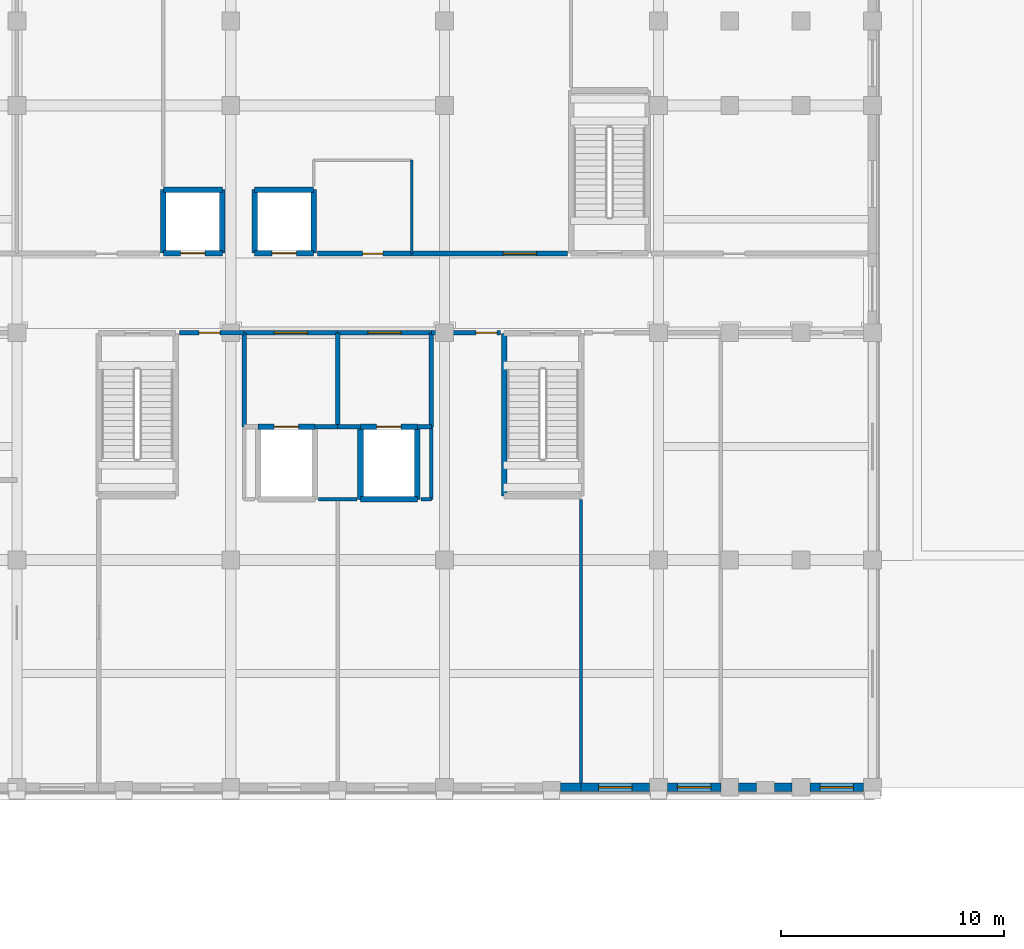
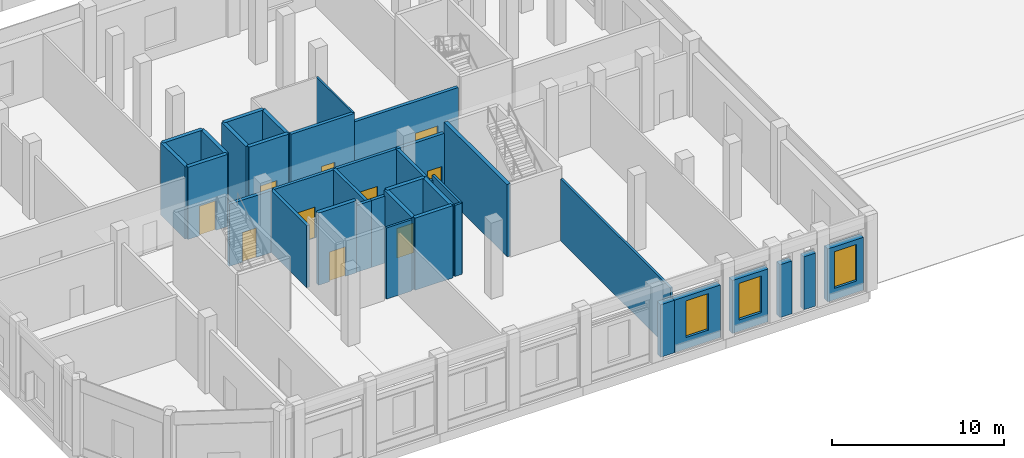
# One storey, part 101 of 137: 37 walls, 10 doors, 3 windows, 13 openings.
"""IFC4 building model written with IfcOpenShell, lengths in metres."""

from ifc_helpers import new_model, si_unit, direction, frame, frame_2d, origin, place, context, subcontext, project, spatial, rectangle, extrude, material, layer, layer_set, type_object, element, fill, save


model = new_model("IFC4")

# Units and contexts
model_context = context("Model", 3, precision=1e-05, world=origin(), true_north=direction((0.0, 1.0)))
body_context = subcontext(model_context, "Body", "Model", "MODEL_VIEW")
ifc_project = project(units=[si_unit("LENGTHUNIT", "METRE"), si_unit("AREAUNIT", "SQUARE_METRE"), si_unit("VOLUMEUNIT", "CUBIC_METRE"), si_unit("PLANEANGLEUNIT", "RADIAN"), si_unit("MASSUNIT", "GRAM", prefix="KILO")], contexts=[model_context])

# Site, building, storey
site_placement = place(None, origin())
site = spatial("IfcSite", under=ifc_project, at=site_placement, CompositionType="ELEMENT")
building_placement = place(site_placement, origin())
building = spatial("IfcBuilding", under=site, at=building_placement, Name="Vondelvale Polytechnic", CompositionType="ELEMENT")
storey_placement = place(building_placement, origin())
storey = spatial("IfcBuildingStorey", under=building, at=storey_placement, Name="L00", CompositionType="ELEMENT", Elevation=0.0)

# Wall
ifc_material_1 = material(Name="Concrete N40 (f'c = 40 MPa)", Category="concrete")
ifc_layer_1 = layer(ifc_material_1, 0.25)
ifc_layer_set_1 = layer_set([ifc_layer_1], Name="WL-CORE-250")
wall_type_1 = type_object("IfcWallType", Name="WL-CORE-250", PredefinedType="SOLIDWALL", material=ifc_layer_set_1)
wall_1_placement = place(storey_placement, frame((31.47509765625, 20.375, 0.0), z_axis=(0.0, 0.0, 1.0), x_axis=(0.0, -1.0, 0.0)))
element("IfcWall", 1, at=wall_1_placement, inside=storey, type_object=wall_type_1, Name="L00 ST-04 reinforced concrete stair core wall", PredefinedType="SOLIDWALL", context=body_context, shape_type="SweptSolid", body=[
    extrude(rectangle(XDim=7.300048828125, YDim=0.25, at=frame_2d((3.64990234375, 0.0))), origin(), (0.0, 0.0, 1.0), 5.1201171875),
])

# Wall, opening, door
ifc_material_2 = material(Name="Fire-rated double-layer plasterboard stud partition")
ifc_layer_2 = layer(ifc_material_2, 0.199951171875)
ifc_layer_set_2 = layer_set([ifc_layer_2], Name="WL-CORR-200")
wall_type_2 = type_object("IfcWallType", Name="WL-CORR-200", PredefinedType="PARTITIONING", material=ifc_layer_set_2)
wall_2_placement = place(storey_placement, frame((19.800048828125, 20.39990234375, 0.0), z_axis=(0.0, 0.0, 1.0), x_axis=(1.0, 0.0, 0.0)))
wall_2 = element("IfcWall", 2, at=wall_2_placement, inside=storey, type_object=wall_type_2, Name="L00 EL-01 fire-isolated lift lobby wall", PredefinedType="PARTITIONING", context=body_context, shape_type="SweptSolid", body=[
    extrude(rectangle(XDim=4.199951171875, YDim=0.199951171875, at=frame_2d((2.10009765625, 0.0))), origin(), (0.0, 0.0, 1.0), 4.39990234375),
])
opening_1_placement = place(wall_2_placement, frame((1.35009765625, 0.0, 0.0)))
opening_1 = element("IfcOpeningElement", 3, at=opening_1_placement, cuts=wall_2, Name="Opening LBD-057", PredefinedType="OPENING", context=body_context, shape_type="SweptSolid", body=[
    extrude(rectangle(XDim=1.5, YDim=2.199951171875, at=frame_2d((0.75, 1.10009765625))), frame((0.0, 0.10986328125, 0.0), z_axis=(0.0, -1.0, 0.0), x_axis=(1.0, 0.0, 0.0)), (0.0, 0.0, 1.0), 0.219970703125),
])
ifc_material_3 = material(Name="Engineered Tasmanian oak studio and bridge joinery")
door_type_1 = type_object("IfcDoorType", Name="DR-LOBBY-1500x2200", OperationType="DOUBLE_DOOR_SINGLE_SWING", PredefinedType="DOOR", material=ifc_material_3)
door_1_placement = place(opening_1_placement, origin())
door_1 = element("IfcDoor", 4, at=door_1_placement, inside=storey, type_object=door_type_1, Name="L00 EL-01 firefighting lobby smoke door", OperationType="SINGLE_SWING_LEFT", OverallHeight=2.199951171875, OverallWidth=1.5, PredefinedType="DOOR", context=body_context, shape_type="SweptSolid", body=[
    extrude(rectangle(XDim=1.5, YDim=2.199951171875, at=frame_2d((0.75, 1.10009765625))), frame((0.0, 0.02490234375, 0.0), z_axis=(0.0, -1.0, 0.0), x_axis=(1.0, 0.0, 0.0)), (0.0, 0.0, 1.0), 0.050048828125),
])
fill(opening_1, door_1)

# Walls
for number, where, z_axis, x_axis, name in (
    (5, (19.800048828125, 16.175048828125, 0.0), (0.0, 0.0, 1.0), (0.0, 1.0, 0.0), "L00 EL-01 fire-isolated lift lobby wall"),
    (6, (24.0, 16.175048828125, 0.0), (0.0, 0.0, 1.0), (0.0, 1.0, 0.0), "L00 EL-01 fire-isolated lift lobby wall"),
):
    element("IfcWall", number, at=place(storey_placement, frame(where, z_axis=z_axis, x_axis=x_axis)), inside=storey, type_object=wall_type_2, Name=name, PredefinedType="PARTITIONING", context=body_context, shape_type="SweptSolid", body=[
        extrude(rectangle(XDim=4.224853515625, YDim=0.199951171875, at=frame_2d((2.1123046875, 0.0))), origin(), (0.0, 0.0, 1.0), 4.39990234375),
    ])
wall_3_placement = place(storey_placement, frame((22.97509765625, 16.175048828125, 0.0), z_axis=(0.0, 0.0, 1.0), x_axis=(1.0, 0.0, 0.0)))
element("IfcWall", 7, at=wall_3_placement, inside=storey, type_object=wall_type_2, Name="L00 EL-01 fire-isolated lift lobby wall", PredefinedType="PARTITIONING", context=body_context, shape_type="SweptSolid", body=[
    extrude(rectangle(XDim=1.02490234375, YDim=0.199951171875, at=frame_2d((0.512451171875, 0.0))), origin(), (0.0, 0.0, 1.0), 4.75),
])

# Wall, opening, door
wall_4_placement = place(storey_placement, frame((24.0, 20.39990234375, 0.0), z_axis=(0.0, 0.0, 1.0), x_axis=(1.0, 0.0, 0.0)))
wall_4 = element("IfcWall", 8, at=wall_4_placement, inside=storey, type_object=wall_type_2, Name="L00 EL-02 fire-isolated lift lobby wall", PredefinedType="PARTITIONING", context=body_context, shape_type="SweptSolid", body=[
    extrude(rectangle(XDim=4.199951171875, YDim=0.199951171875, at=frame_2d((2.10009765625, 0.0))), origin(), (0.0, 0.0, 1.0), 4.39990234375),
])
opening_2_placement = place(wall_4_placement, frame((1.35009765625, 0.0, 0.0)))
opening_2 = element("IfcOpeningElement", 9, at=opening_2_placement, cuts=wall_4, Name="Opening LBD-066", PredefinedType="OPENING", context=body_context, shape_type="SweptSolid", body=[
    extrude(rectangle(XDim=1.5, YDim=2.199951171875, at=frame_2d((0.75, 1.10009765625))), frame((0.0, 0.10986328125, 0.0), z_axis=(0.0, -1.0, 0.0), x_axis=(1.0, 0.0, 0.0)), (0.0, 0.0, 1.0), 0.219970703125),
])
door_2_placement = place(opening_2_placement, origin())
door_2 = element("IfcDoor", 10, at=door_2_placement, inside=storey, type_object=door_type_1, Name="L00 EL-02 firefighting lobby smoke door", OperationType="SINGLE_SWING_LEFT", OverallHeight=2.199951171875, OverallWidth=1.5, PredefinedType="DOOR", context=body_context, shape_type="SweptSolid", body=[
    extrude(rectangle(XDim=1.5, YDim=2.199951171875, at=frame_2d((0.75, 1.10009765625))), frame((0.0, 0.02490234375, 0.0), z_axis=(0.0, -1.0, 0.0), x_axis=(1.0, 0.0, 0.0)), (0.0, 0.0, 1.0), 0.050048828125),
])
fill(opening_2, door_2)

# Walls
wall_5_placement = place(storey_placement, frame((28.199951171875, 16.175048828125, 0.0), z_axis=(0.0, 0.0, 1.0), x_axis=(0.0, 1.0, 0.0)))
element("IfcWall", 11, at=wall_5_placement, inside=storey, type_object=wall_type_2, Name="L00 EL-02 fire-isolated lift lobby wall", PredefinedType="PARTITIONING", context=body_context, shape_type="SweptSolid", body=[
    extrude(rectangle(XDim=4.224853515625, YDim=0.199951171875, at=frame_2d((2.1123046875, 0.0))), origin(), (0.0, 0.0, 1.0), 4.39990234375),
])
wall_6_placement = place(storey_placement, frame((24.0, 16.175048828125, 0.0), z_axis=(0.0, 0.0, 1.0), x_axis=(1.0, 0.0, 0.0)))
element("IfcWall", 12, at=wall_6_placement, inside=storey, type_object=wall_type_2, Name="L00 EL-02 fire-isolated lift lobby wall", PredefinedType="PARTITIONING", context=body_context, shape_type="SweptSolid", body=[
    extrude(rectangle(XDim=1.02490234375, YDim=0.199951171875, at=frame_2d((0.512451171875, 0.0))), origin(), (0.0, 0.0, 1.0), 4.75),
])
wall_7_placement = place(storey_placement, frame((27.574951171875, 16.175048828125, 0.0), z_axis=(0.0, 0.0, 1.0), x_axis=(1.0, 0.0, 0.0)))
element("IfcWall", 13, at=wall_7_placement, inside=storey, type_object=wall_type_2, Name="L00 EL-02 fire-isolated lift lobby wall", PredefinedType="PARTITIONING", context=body_context, shape_type="SweptSolid", body=[
    extrude(rectangle(XDim=0.625, YDim=0.199951171875, at=frame_2d((0.3125, 0.0))), origin(), (0.0, 0.0, 1.0), 4.75),
])

# Wall, opening, door
ifc_layer_3 = layer(ifc_material_2, 0.219970703125)
ifc_layer_set_3 = layer_set([ifc_layer_3], Name="WL-CORR-220")
wall_type_3 = type_object("IfcWallType", Name="WL-CORR-220", PredefinedType="PARTITIONING", material=ifc_layer_set_3)
wall_8_placement = place(storey_placement, frame((16.889892578125, 20.39990234375, 0.0), z_axis=(0.0, 0.0, 1.0), x_axis=(1.0, 0.0, 0.0)))
wall_8 = element("IfcWall", 14, at=wall_8_placement, inside=storey, type_object=wall_type_3, Name="L00 interior acoustic partition", PredefinedType="PARTITIONING", context=body_context, shape_type="SweptSolid", body=[
    extrude(rectangle(XDim=2.91015625, YDim=0.219970703125, at=frame_2d((1.455078125, 0.0))), origin(), (0.0, 0.0, 1.0), 4.39990234375),
])
opening_3_placement = place(wall_8_placement, frame((0.885009765625, 0.0, 0.0)))
opening_3 = element("IfcOpeningElement", 15, at=opening_3_placement, cuts=wall_8, Name="Opening ID-0140", PredefinedType="OPENING", context=body_context, shape_type="SweptSolid", body=[
    extrude(rectangle(XDim=0.949951171875, YDim=2.10009765625, at=frame_2d((0.47509765625, 1.050048828125))), frame((0.0, 0.119873046875, 0.0), z_axis=(0.0, -1.0, 0.0), x_axis=(1.0, 0.0, 0.0)), (0.0, 0.0, 1.0), 0.239990234375),
])
ifc_material_4 = material(Name="Fire-rated solid Tasmanian oak joinery")
door_type_2 = type_object("IfcDoorType", Name="DR-INT-0950x2100", OperationType="SINGLE_SWING_LEFT", PredefinedType="DOOR", material=ifc_material_4)
door_3_placement = place(opening_3_placement, origin())
door_3 = element("IfcDoor", 16, at=door_3_placement, inside=storey, type_object=door_type_2, Name="L00 interior room door ID-0140", OperationType="SINGLE_SWING_RIGHT", OverallHeight=2.10009765625, OverallWidth=0.949951171875, PredefinedType="DOOR", context=body_context, shape_type="SweptSolid", body=[
    extrude(rectangle(XDim=0.949951171875, YDim=2.10009765625, at=frame_2d((0.47509765625, 1.050048828125))), frame((0.0, 0.02490234375, 0.0), z_axis=(0.0, -1.0, 0.0), x_axis=(1.0, 0.0, 0.0)), (0.0, 0.0, 1.0), 0.050048828125),
])
fill(opening_3, door_3)

wall_9_placement = place(storey_placement, frame((28.199951171875, 20.39990234375, 0.0), z_axis=(0.0, 0.0, 1.0), x_axis=(1.0, 0.0, 0.0)))
wall_9 = element("IfcWall", 17, at=wall_9_placement, inside=storey, type_object=wall_type_3, Name="L00 interior acoustic partition", PredefinedType="PARTITIONING", context=body_context, shape_type="SweptSolid", body=[
    extrude(rectangle(XDim=3.110107421875, YDim=0.219970703125, at=frame_2d((1.55517578125, 0.0))), origin(), (0.0, 0.0, 1.0), 4.39990234375),
])
opening_4_placement = place(wall_9_placement, frame((2.0, 0.0, 0.0)))
opening_4 = element("IfcOpeningElement", 18, at=opening_4_placement, cuts=wall_9, Name="Opening ID-0141", PredefinedType="OPENING", context=body_context, shape_type="SweptSolid", body=[
    extrude(rectangle(XDim=0.949951171875, YDim=2.10009765625, at=frame_2d((0.47509765625, 1.050048828125))), frame((0.0, 0.119873046875, 0.0), z_axis=(0.0, -1.0, 0.0), x_axis=(1.0, 0.0, 0.0)), (0.0, 0.0, 1.0), 0.239990234375),
])
door_4_placement = place(opening_4_placement, origin())
door_4 = element("IfcDoor", 19, at=door_4_placement, inside=storey, type_object=door_type_2, Name="L00 interior room door ID-0141", OperationType="SINGLE_SWING_LEFT", OverallHeight=2.10009765625, OverallWidth=0.949951171875, PredefinedType="DOOR", context=body_context, shape_type="SweptSolid", body=[
    extrude(rectangle(XDim=0.949951171875, YDim=2.10009765625, at=frame_2d((0.47509765625, 1.050048828125))), frame((0.0, 0.02490234375, 0.0), z_axis=(0.0, -1.0, 0.0), x_axis=(1.0, 0.0, 0.0)), (0.0, 0.0, 1.0), 0.050048828125),
])
fill(opening_4, door_4)

wall_10_placement = place(storey_placement, frame((23.090087890625, 23.949951171875, 0.0), z_axis=(0.0, 0.0, 1.0), x_axis=(1.0, 0.0, 0.0)))
wall_10 = element("IfcWall", 20, at=wall_10_placement, inside=storey, type_object=wall_type_3, Name="L00 interior acoustic partition", PredefinedType="PARTITIONING", context=body_context, shape_type="SweptSolid", body=[
    extrude(rectangle(XDim=4.23486328125, YDim=0.219970703125, at=frame_2d((2.117431640625, 0.0))), origin(), (0.0, 0.0, 1.0), 5.050048828125),
])
opening_5_placement = place(wall_10_placement, frame((2.034912109375, 0.0, 0.0)))
opening_5 = element("IfcOpeningElement", 21, at=opening_5_placement, cuts=wall_10, Name="Opening ID-0144", PredefinedType="OPENING", context=body_context, shape_type="SweptSolid", body=[
    extrude(rectangle(XDim=0.89990234375, YDim=2.050048828125, at=frame_2d((0.449951171875, 1.02490234375))), frame((0.0, 0.119873046875, 0.0), z_axis=(0.0, -1.0, 0.0), x_axis=(1.0, 0.0, 0.0)), (0.0, 0.0, 1.0), 0.239990234375),
])
door_type_3 = type_object("IfcDoorType", Name="DR-WC-0900x2050", OperationType="SINGLE_SWING_RIGHT", PredefinedType="DOOR", material=ifc_material_4)
door_5_placement = place(opening_5_placement, origin())
door_5 = element("IfcDoor", 22, at=door_5_placement, inside=storey, type_object=door_type_3, Name="L00 interior room door ID-0144", OperationType="SINGLE_SWING_RIGHT", OverallHeight=2.050048828125, OverallWidth=0.89990234375, PredefinedType="DOOR", context=body_context, shape_type="SweptSolid", body=[
    extrude(rectangle(XDim=0.89990234375, YDim=2.050048828125, at=frame_2d((0.449951171875, 1.02490234375))), frame((0.0, 0.02490234375, 0.0), z_axis=(0.0, -1.0, 0.0), x_axis=(1.0, 0.0, 0.0)), (0.0, 0.0, 1.0), 0.050048828125),
])
fill(opening_5, door_5)

wall_11_placement = place(storey_placement, frame((27.324951171875, 23.949951171875, 0.0), z_axis=(0.0, 0.0, 1.0), x_axis=(1.0, 0.0, 0.0)))
wall_11 = element("IfcWall", 23, at=wall_11_placement, inside=storey, type_object=wall_type_3, Name="L00 interior acoustic partition", PredefinedType="PARTITIONING", context=body_context, shape_type="SweptSolid", body=[
    extrude(rectangle(XDim=6.985107421875, YDim=0.219970703125, at=frame_2d((3.49267578125, 0.0))), origin(), (0.0, 0.0, 1.0), 4.449951171875),
])
opening_6_placement = place(wall_11_placement, frame((4.10009765625, 0.0, 0.0)))
opening_6 = element("IfcOpeningElement", 24, at=opening_6_placement, cuts=wall_11, Name="Opening ID-0147", PredefinedType="OPENING", context=body_context, shape_type="SweptSolid", body=[
    extrude(rectangle(XDim=1.5, YDim=2.199951171875, at=frame_2d((0.75, 1.10009765625))), frame((0.0, 0.119873046875, 0.0), z_axis=(0.0, -1.0, 0.0), x_axis=(1.0, 0.0, 0.0)), (0.0, 0.0, 1.0), 0.239990234375),
])
door_type_4 = type_object("IfcDoorType", Name="DR-LAB-1500x2200", OperationType="DOUBLE_DOOR_SINGLE_SWING", PredefinedType="DOOR", material=ifc_material_4)
door_6_placement = place(opening_6_placement, origin())
door_6 = element("IfcDoor", 25, at=door_6_placement, inside=storey, type_object=door_type_4, Name="L00 interior room door ID-0147", OperationType="DOUBLE_DOOR_SINGLE_SWING", OverallHeight=2.199951171875, OverallWidth=1.5, PredefinedType="DOOR", context=body_context, shape_type="SweptSolid", body=[
    extrude(rectangle(XDim=1.5, YDim=2.199951171875, at=frame_2d((0.75, 1.10009765625))), frame((0.0, 0.02490234375, 0.0), z_axis=(0.0, -1.0, 0.0), x_axis=(1.0, 0.0, 0.0)), (0.0, 0.0, 1.0), 0.050048828125),
])
fill(opening_6, door_6)

# Walls
ifc_layer_4 = layer(ifc_material_2, 0.1201171875)
ifc_layer_set_4 = layer_set([ifc_layer_4], Name="WL-INT-120")
wall_type_4 = type_object("IfcWallType", Name="WL-INT-120", PredefinedType="PARTITIONING", material=ifc_layer_set_4)
wall_12_placement = place(storey_placement, frame((27.324951171875, 23.949951171875, 0.0), z_axis=(0.0, 0.0, 1.0), x_axis=(0.0, 1.0, 0.0)))
element("IfcWall", 26, at=wall_12_placement, inside=storey, type_object=wall_type_4, Name="L00 interior acoustic partition", PredefinedType="PARTITIONING", context=body_context, shape_type="SweptSolid", body=[
    extrude(rectangle(XDim=4.199951171875, YDim=0.1201171875, at=frame_2d((2.10009765625, 0.0))), origin(), (0.0, 0.0, 1.0), 5.050048828125),
])
ifc_layer_5 = layer(ifc_material_2, 0.14990234375)
ifc_layer_set_5 = layer_set([ifc_layer_5], Name="WL-INT-150")
wall_type_5 = type_object("IfcWallType", Name="WL-INT-150", PredefinedType="PARTITIONING", material=ifc_layer_set_5)
wall_13_placement = place(storey_placement, frame((23.139892578125, 12.925048828125, 0.0), z_axis=(0.0, 0.0, 1.0), x_axis=(1.0, 0.0, 0.0)))
element("IfcWall", 27, at=wall_13_placement, inside=storey, type_object=wall_type_5, Name="L00 interior acoustic partition", PredefinedType="PARTITIONING", context=body_context, shape_type="SweptSolid", body=[
    extrude(rectangle(XDim=1.72021484375, YDim=0.14990234375, at=frame_2d((0.860107421875, 0.0))), origin(), (0.0, 0.0, 1.0), 5.050048828125),
])
wall_14_placement = place(storey_placement, frame((27.739990234375, 12.925048828125, 0.0), z_axis=(0.0, 0.0, 1.0), x_axis=(1.0, 0.0, 0.0)))
element("IfcWall", 28, at=wall_14_placement, inside=storey, type_object=wall_type_5, Name="L00 interior acoustic partition", PredefinedType="PARTITIONING", context=body_context, shape_type="SweptSolid", body=[
    extrude(rectangle(XDim=0.4599609375, YDim=0.14990234375, at=frame_2d((0.22998046875, 0.0))), origin(), (0.0, 0.0, 1.0), 5.050048828125),
])
wall_15_placement = place(storey_placement, frame((28.199951171875, 12.925048828125, 0.0), z_axis=(0.0, 0.0, 1.0), x_axis=(0.0, 1.0, 0.0)))
element("IfcWall", 29, at=wall_15_placement, inside=storey, type_object=wall_type_5, Name="L00 interior acoustic partition", PredefinedType="PARTITIONING", context=body_context, shape_type="SweptSolid", body=[
    extrude(rectangle(XDim=3.25, YDim=0.14990234375, at=frame_2d((1.625, 0.0))), origin(), (0.0, 0.0, 1.0), 5.050048828125),
])
wall_16_placement = place(storey_placement, frame((34.925048828125, 0.14990234375, 0.0), z_axis=(0.0, 0.0, 1.0), x_axis=(0.0, 1.0, 0.0)))
element("IfcWall", 30, at=wall_16_placement, inside=storey, type_object=wall_type_5, Name="L00 interior acoustic partition", PredefinedType="PARTITIONING", context=body_context, shape_type="SweptSolid", body=[
    extrude(rectangle(XDim=12.760009765625, YDim=0.14990234375, at=frame_2d((6.3798828125, 0.0))), origin(), (0.0, 0.0, 1.0), 4.39990234375),
])
ifc_material_5 = material(Name="Malmsbury bluestone ashlar stone masonry", Category="masonry")
ifc_layer_6 = layer(ifc_material_5, 0.39990234375)
ifc_layer_set_6 = layer_set([ifc_layer_6], Name="WL-PLINTH-400")
wall_type_6 = type_object("IfcWallType", Name="WL-PLINTH-400", PredefinedType="SOLIDWALL", material=ifc_layer_set_6)
wall_17_placement = place(storey_placement, frame((34.925048828125, 0.0, 0.0), z_axis=(0.0, 0.0, 1.0), x_axis=(-1.0, 0.0, 0.0)))
element("IfcWall", 31, at=wall_17_placement, inside=storey, type_object=wall_type_6, Name="L00 exterior masonry facade wall", PredefinedType="SOLIDWALL", context=body_context, shape_type="SweptSolid", body=[
    extrude(rectangle(XDim=0.924072265625, YDim=0.39990234375, at=frame_2d((0.4619140625, 0.0))), origin(), (0.0, 0.0, 1.0), 3.722900390625),
])

# Wall, opening, window
wall_18_placement = place(storey_placement, frame((37.9990234375, 0.0, 0.0), z_axis=(0.0, 0.0, 1.0), x_axis=(-1.0, 0.0, 0.0)))
wall_18 = element("IfcWall", 32, at=wall_18_placement, inside=storey, type_object=wall_type_6, Name="L00 exterior masonry facade wall", PredefinedType="SOLIDWALL", context=body_context, shape_type="SweptSolid", body=[
    extrude(rectangle(XDim=3.073974609375, YDim=0.39990234375, at=frame_2d((1.537109375, 0.0))), origin(), (0.0, 0.0, 1.0), 3.722900390625),
])
opening_7_placement = place(wall_18_placement, frame((0.787109375, 0.0, 0.800048828125)))
opening_7 = element("IfcOpeningElement", 33, at=opening_7_placement, cuts=wall_18, Name="Opening WN-0139", PredefinedType="OPENING", context=body_context, shape_type="SweptSolid", body=[
    extrude(rectangle(XDim=1.5, YDim=2.60009765625, at=frame_2d((0.75, 1.300048828125))), frame((0.0, 0.2099609375, 0.0), z_axis=(0.0, -1.0, 0.0), x_axis=(1.0, 0.0, 0.0)), (0.0, 0.0, 1.0), 0.419921875),
])
ifc_material_6 = material(Name="Double-glazed low-E insulated architectural glass", Category="glass")
window_type = type_object("IfcWindowType", Name="WN-TALL-1500x2600", PartitioningType="SINGLE_PANEL", PredefinedType="WINDOW", material=ifc_material_6)
window_1_placement = place(opening_7_placement, origin())
window_1 = element("IfcWindow", 34, at=window_1_placement, inside=storey, type_object=window_type, Name="L00 double-glazed architectural window WN-0139", OverallHeight=2.60009765625, OverallWidth=1.5, PartitioningType="SINGLE_PANEL", PredefinedType="WINDOW", context=body_context, shape_type="SweptSolid", body=[
    extrude(rectangle(XDim=1.5, YDim=2.60009765625, at=frame_2d((0.75, 1.300048828125))), frame((0.0, 0.030029296875, 0.0), z_axis=(0.0, -1.0, 0.0), x_axis=(1.0, 0.0, 0.0)), (0.0, 0.0, 1.0), 0.06005859375),
])
fill(opening_7, window_1)

# Wall
wall_19_placement = place(storey_placement, frame((42.799072265625, 0.0, 0.0), z_axis=(0.0, 0.0, 1.0), x_axis=(-1.0, 0.0, 0.0)))
element("IfcWall", 35, at=wall_19_placement, inside=storey, type_object=wall_type_6, Name="L00 exterior masonry facade wall", PredefinedType="SOLIDWALL", context=body_context, shape_type="SweptSolid", body=[
    extrude(rectangle(XDim=0.798095703125, YDim=0.39990234375, at=frame_2d((0.39892578125, 0.0))), origin(), (0.0, 0.0, 1.0), 3.7509765625),
])

# Wall, opening, window
wall_20_placement = place(storey_placement, frame((41.198974609375, 0.0, 0.0), z_axis=(0.0, 0.0, 1.0), x_axis=(-1.0, 0.0, 0.0)))
wall_20 = element("IfcWall", 36, at=wall_20_placement, inside=storey, type_object=wall_type_6, Name="L00 exterior masonry facade wall", PredefinedType="SOLIDWALL", context=body_context, shape_type="SweptSolid", body=[
    extrude(rectangle(XDim=2.39794921875, YDim=0.39990234375, at=frame_2d((1.198974609375, 0.0))), origin(), (0.0, 0.0, 1.0), 3.7509765625),
])
opening_8_placement = place(wall_20_placement, frame((0.448974609375, 0.0, 0.800048828125)))
opening_8 = element("IfcOpeningElement", 37, at=opening_8_placement, cuts=wall_20, Name="Opening WN-0140", PredefinedType="OPENING", context=body_context, shape_type="SweptSolid", body=[
    extrude(rectangle(XDim=1.5, YDim=2.60009765625, at=frame_2d((0.75, 1.300048828125))), frame((0.0, 0.2099609375, 0.0), z_axis=(0.0, -1.0, 0.0), x_axis=(1.0, 0.0, 0.0)), (0.0, 0.0, 1.0), 0.419921875),
])
window_2_placement = place(opening_8_placement, origin())
window_2 = element("IfcWindow", 38, at=window_2_placement, inside=storey, type_object=window_type, Name="L00 double-glazed architectural window WN-0140", OverallHeight=2.60009765625, OverallWidth=1.5, PartitioningType="SINGLE_PANEL", PredefinedType="WINDOW", context=body_context, shape_type="SweptSolid", body=[
    extrude(rectangle(XDim=1.5, YDim=2.60009765625, at=frame_2d((0.75, 1.300048828125))), frame((0.0, 0.030029296875, 0.0), z_axis=(0.0, -1.0, 0.0), x_axis=(1.0, 0.0, 0.0)), (0.0, 0.0, 1.0), 0.06005859375),
])
fill(opening_8, window_2)

wall_21_placement = place(storey_placement, frame((47.59912109375, 0.0, 0.0), z_axis=(0.0, 0.0, 1.0), x_axis=(-1.0, 0.0, 0.0)))
wall_21 = element("IfcWall", 39, at=wall_21_placement, inside=storey, type_object=wall_type_6, Name="L00 exterior masonry facade wall", PredefinedType="SOLIDWALL", context=body_context, shape_type="SweptSolid", body=[
    extrude(rectangle(XDim=2.398193359375, YDim=0.39990234375, at=frame_2d((1.19921875, 0.0))), origin(), (0.0, 0.0, 1.0), 3.7509765625),
])
opening_9_placement = place(wall_21_placement, frame((0.448974609375, 0.0, 0.800048828125)))
opening_9 = element("IfcOpeningElement", 40, at=opening_9_placement, cuts=wall_21, Name="Opening WN-0141", PredefinedType="OPENING", context=body_context, shape_type="SweptSolid", body=[
    extrude(rectangle(XDim=1.5, YDim=2.60009765625, at=frame_2d((0.75, 1.300048828125))), frame((0.0, 0.2099609375, 0.0), z_axis=(0.0, -1.0, 0.0), x_axis=(1.0, 0.0, 0.0)), (0.0, 0.0, 1.0), 0.419921875),
])
window_3_placement = place(opening_9_placement, origin())
window_3 = element("IfcWindow", 41, at=window_3_placement, inside=storey, type_object=window_type, Name="L00 double-glazed architectural window WN-0141", OverallHeight=2.60009765625, OverallWidth=1.5, PartitioningType="SINGLE_PANEL", PredefinedType="WINDOW", context=body_context, shape_type="SweptSolid", body=[
    extrude(rectangle(XDim=1.5, YDim=2.60009765625, at=frame_2d((0.75, 1.300048828125))), frame((0.0, 0.030029296875, 0.0), z_axis=(0.0, -1.0, 0.0), x_axis=(1.0, 0.0, 0.0)), (0.0, 0.0, 1.0), 0.06005859375),
])
fill(opening_9, window_3)

# Wall
wall_22_placement = place(storey_placement, frame((44.39892578125, 0.0, 0.0), z_axis=(0.0, 0.0, 1.0), x_axis=(-1.0, 0.0, 0.0)))
element("IfcWall", 42, at=wall_22_placement, inside=storey, type_object=wall_type_6, Name="L00 exterior masonry facade wall", PredefinedType="SOLIDWALL", context=body_context, shape_type="SweptSolid", body=[
    extrude(rectangle(XDim=0.7978515625, YDim=0.39990234375, at=frame_2d((0.39892578125, 0.0))), origin(), (0.0, 0.0, 1.0), 3.7509765625),
])

# Wall, opening, door
ifc_layer_7 = layer(ifc_material_1, 0.25)
ifc_layer_set_7 = layer_set([ifc_layer_7], Name="WL-SHAFT-250")
wall_type_7 = type_object("IfcWallType", Name="WL-SHAFT-250", PredefinedType="SOLIDWALL", material=ifc_layer_set_7)
wall_23_placement = place(storey_placement, frame((22.97509765625, 16.175048828125, 0.0), z_axis=(0.0, 0.0, 1.0), x_axis=(-1.0, 0.0, 0.0)))
wall_23 = element("IfcWall", 43, at=wall_23_placement, inside=storey, type_object=wall_type_7, Name="L00 EL-01 lift shaft wall N", PredefinedType="SOLIDWALL", context=body_context, shape_type="SweptSolid", body=[
    extrude(rectangle(XDim=2.550048828125, YDim=0.25, at=frame_2d((1.27490234375, 0.0))), origin(), (0.0, 0.0, 1.0), 5.1201171875),
])
opening_10_placement = place(wall_23_placement, frame((0.72509765625, 0.0, 0.0)))
opening_10 = element("IfcOpeningElement", 44, at=opening_10_placement, cuts=wall_23, Name="Opening LD-002", PredefinedType="OPENING", context=body_context, shape_type="SweptSolid", body=[
    extrude(rectangle(XDim=1.10009765625, YDim=2.10009765625, at=frame_2d((0.550048828125, 1.050048828125))), frame((0.0, 0.135009765625, 0.0), z_axis=(0.0, -1.0, 0.0), x_axis=(1.0, 0.0, 0.0)), (0.0, 0.0, 1.0), 0.27001953125),
])
ifc_material_7 = material(Name="Brushed architectural stainless and zinc-coated metal")
door_type_5 = type_object("IfcDoorType", Name="DR-LIFT-1100x2100", OperationType="SLIDING_TO_LEFT", PredefinedType="DOOR", material=ifc_material_7)
door_7_placement = place(opening_10_placement, origin())
door_7 = element("IfcDoor", 45, at=door_7_placement, inside=storey, type_object=door_type_5, Name="L00 EL-01 sliding lift landing door", OperationType="SLIDING_TO_LEFT", OverallHeight=2.10009765625, OverallWidth=1.10009765625, PredefinedType="DOOR", context=body_context, shape_type="SweptSolid", body=[
    extrude(rectangle(XDim=1.10009765625, YDim=2.10009765625, at=frame_2d((0.550048828125, 1.050048828125))), frame((0.0, 0.02490234375, 0.0), z_axis=(0.0, -1.0, 0.0), x_axis=(1.0, 0.0, 0.0)), (0.0, 0.0, 1.0), 0.050048828125),
])
fill(opening_10, door_7)

# Walls
wall_24_placement = place(storey_placement, frame((25.02490234375, 12.925048828125, 0.0), z_axis=(0.0, 0.0, 1.0), x_axis=(1.0, 0.0, 0.0)))
element("IfcWall", 46, at=wall_24_placement, inside=storey, type_object=wall_type_7, Name="L00 EL-02 lift shaft wall S", PredefinedType="SOLIDWALL", context=body_context, shape_type="SweptSolid", body=[
    extrude(rectangle(XDim=2.550048828125, YDim=0.25, at=frame_2d((1.27490234375, 0.0))), origin(), (0.0, 0.0, 1.0), 5.1201171875),
])
wall_25_placement = place(storey_placement, frame((27.574951171875, 12.925048828125, 0.0), z_axis=(0.0, 0.0, 1.0), x_axis=(0.0, 1.0, 0.0)))
element("IfcWall", 47, at=wall_25_placement, inside=storey, type_object=wall_type_7, Name="L00 EL-02 lift shaft wall E", PredefinedType="SOLIDWALL", context=body_context, shape_type="SweptSolid", body=[
    extrude(rectangle(XDim=3.25, YDim=0.25, at=frame_2d((1.625, 0.0))), origin(), (0.0, 0.0, 1.0), 5.1201171875),
])

# Wall, opening, door
wall_26_placement = place(storey_placement, frame((27.574951171875, 16.175048828125, 0.0), z_axis=(0.0, 0.0, 1.0), x_axis=(-1.0, 0.0, 0.0)))
wall_26 = element("IfcWall", 48, at=wall_26_placement, inside=storey, type_object=wall_type_7, Name="L00 EL-02 lift shaft wall N", PredefinedType="SOLIDWALL", context=body_context, shape_type="SweptSolid", body=[
    extrude(rectangle(XDim=2.550048828125, YDim=0.25, at=frame_2d((1.27490234375, 0.0))), origin(), (0.0, 0.0, 1.0), 5.1201171875),
])
opening_11_placement = place(wall_26_placement, frame((0.72509765625, 0.0, 0.0)))
opening_11 = element("IfcOpeningElement", 49, at=opening_11_placement, cuts=wall_26, Name="Opening LD-011", PredefinedType="OPENING", context=body_context, shape_type="SweptSolid", body=[
    extrude(rectangle(XDim=1.10009765625, YDim=2.10009765625, at=frame_2d((0.550048828125, 1.050048828125))), frame((0.0, 0.135009765625, 0.0), z_axis=(0.0, -1.0, 0.0), x_axis=(1.0, 0.0, 0.0)), (0.0, 0.0, 1.0), 0.27001953125),
])
door_8_placement = place(opening_11_placement, origin())
door_8 = element("IfcDoor", 50, at=door_8_placement, inside=storey, type_object=door_type_5, Name="L00 EL-02 sliding lift landing door", OperationType="SLIDING_TO_LEFT", OverallHeight=2.10009765625, OverallWidth=1.10009765625, PredefinedType="DOOR", context=body_context, shape_type="SweptSolid", body=[
    extrude(rectangle(XDim=1.10009765625, YDim=2.10009765625, at=frame_2d((0.550048828125, 1.050048828125))), frame((0.0, 0.02490234375, 0.0), z_axis=(0.0, -1.0, 0.0), x_axis=(1.0, 0.0, 0.0)), (0.0, 0.0, 1.0), 0.050048828125),
])
fill(opening_11, door_8)

# Wall
wall_27_placement = place(storey_placement, frame((25.02490234375, 16.175048828125, 0.0), z_axis=(0.0, 0.0, 1.0), x_axis=(0.0, -1.0, 0.0)))
element("IfcWall", 51, at=wall_27_placement, inside=storey, type_object=wall_type_7, Name="L00 EL-02 lift shaft wall W", PredefinedType="SOLIDWALL", context=body_context, shape_type="SweptSolid", body=[
    extrude(rectangle(XDim=3.25, YDim=0.25, at=frame_2d((1.625, 0.0))), origin(), (0.0, 0.0, 1.0), 5.1201171875),
])

# Wall, opening, door
wall_28_placement = place(storey_placement, frame((16.175048828125, 23.97509765625, 0.0), z_axis=(0.0, 0.0, 1.0), x_axis=(1.0, 0.0, 0.0)))
wall_28 = element("IfcWall", 52, at=wall_28_placement, inside=storey, type_object=wall_type_7, Name="L00 PL-01 lift shaft wall S", PredefinedType="SOLIDWALL", context=body_context, shape_type="SweptSolid", body=[
    extrude(rectangle(XDim=2.64990234375, YDim=0.25, at=frame_2d((1.324951171875, 0.0))), origin(), (0.0, 0.0, 1.0), 5.1201171875),
])
opening_12_placement = place(wall_28_placement, frame((0.77490234375, 0.0, 0.0)))
opening_12 = element("IfcOpeningElement", 53, at=opening_12_placement, cuts=wall_28, Name="Opening LD-020", PredefinedType="OPENING", context=body_context, shape_type="SweptSolid", body=[
    extrude(rectangle(XDim=1.10009765625, YDim=2.10009765625, at=frame_2d((0.550048828125, 1.050048828125))), frame((0.0, 0.135009765625, 0.0), z_axis=(0.0, -1.0, 0.0), x_axis=(1.0, 0.0, 0.0)), (0.0, 0.0, 1.0), 0.27001953125),
])
door_9_placement = place(opening_12_placement, origin())
door_9 = element("IfcDoor", 54, at=door_9_placement, inside=storey, type_object=door_type_5, Name="L00 PL-01 sliding lift landing door", OperationType="SLIDING_TO_LEFT", OverallHeight=2.10009765625, OverallWidth=1.10009765625, PredefinedType="DOOR", context=body_context, shape_type="SweptSolid", body=[
    extrude(rectangle(XDim=1.10009765625, YDim=2.10009765625, at=frame_2d((0.550048828125, 1.050048828125))), frame((0.0, 0.02490234375, 0.0), z_axis=(0.0, -1.0, 0.0), x_axis=(1.0, 0.0, 0.0)), (0.0, 0.0, 1.0), 0.050048828125),
])
fill(opening_12, door_9)

# Walls
wall_29_placement = place(storey_placement, frame((18.824951171875, 23.97509765625, 0.0), z_axis=(0.0, 0.0, 1.0), x_axis=(0.0, 1.0, 0.0)))
element("IfcWall", 55, at=wall_29_placement, inside=storey, type_object=wall_type_7, Name="L00 PL-01 lift shaft wall E", PredefinedType="SOLIDWALL", context=body_context, shape_type="SweptSolid", body=[
    extrude(rectangle(XDim=2.849853515625, YDim=0.25, at=frame_2d((1.4248046875, 0.0))), origin(), (0.0, 0.0, 1.0), 5.1201171875),
])
wall_30_placement = place(storey_placement, frame((18.824951171875, 26.824951171875, 0.0), z_axis=(0.0, 0.0, 1.0), x_axis=(-1.0, 0.0, 0.0)))
element("IfcWall", 56, at=wall_30_placement, inside=storey, type_object=wall_type_7, Name="L00 PL-01 lift shaft wall N", PredefinedType="SOLIDWALL", context=body_context, shape_type="SweptSolid", body=[
    extrude(rectangle(XDim=2.64990234375, YDim=0.25, at=frame_2d((1.324951171875, 0.0))), origin(), (0.0, 0.0, 1.0), 5.1201171875),
])
wall_31_placement = place(storey_placement, frame((16.175048828125, 26.824951171875, 0.0), z_axis=(0.0, 0.0, 1.0), x_axis=(0.0, -1.0, 0.0)))
element("IfcWall", 57, at=wall_31_placement, inside=storey, type_object=wall_type_7, Name="L00 PL-01 lift shaft wall W", PredefinedType="SOLIDWALL", context=body_context, shape_type="SweptSolid", body=[
    extrude(rectangle(XDim=2.849853515625, YDim=0.25, at=frame_2d((1.4248046875, 0.0))), origin(), (0.0, 0.0, 1.0), 5.1201171875),
])

# Wall, opening, door
wall_32_placement = place(storey_placement, frame((20.27490234375, 23.97509765625, 0.0), z_axis=(0.0, 0.0, 1.0), x_axis=(1.0, 0.0, 0.0)))
wall_32 = element("IfcWall", 58, at=wall_32_placement, inside=storey, type_object=wall_type_7, Name="L00 PL-02 lift shaft wall S", PredefinedType="SOLIDWALL", context=body_context, shape_type="SweptSolid", body=[
    extrude(rectangle(XDim=2.650146484375, YDim=0.25, at=frame_2d((1.3251953125, 0.0))), origin(), (0.0, 0.0, 1.0), 5.1201171875),
])
opening_13_placement = place(wall_32_placement, frame((0.77490234375, 0.0, 0.0)))
opening_13 = element("IfcOpeningElement", 59, at=opening_13_placement, cuts=wall_32, Name="Opening LD-029", PredefinedType="OPENING", context=body_context, shape_type="SweptSolid", body=[
    extrude(rectangle(XDim=1.10009765625, YDim=2.10009765625, at=frame_2d((0.550048828125, 1.050048828125))), frame((0.0, 0.135009765625, 0.0), z_axis=(0.0, -1.0, 0.0), x_axis=(1.0, 0.0, 0.0)), (0.0, 0.0, 1.0), 0.27001953125),
])
door_10_placement = place(opening_13_placement, origin())
door_10 = element("IfcDoor", 60, at=door_10_placement, inside=storey, type_object=door_type_5, Name="L00 PL-02 sliding lift landing door", OperationType="SLIDING_TO_LEFT", OverallHeight=2.10009765625, OverallWidth=1.10009765625, PredefinedType="DOOR", context=body_context, shape_type="SweptSolid", body=[
    extrude(rectangle(XDim=1.10009765625, YDim=2.10009765625, at=frame_2d((0.550048828125, 1.050048828125))), frame((0.0, 0.02490234375, 0.0), z_axis=(0.0, -1.0, 0.0), x_axis=(1.0, 0.0, 0.0)), (0.0, 0.0, 1.0), 0.050048828125),
])
fill(opening_13, door_10)

# Walls
wall_33_placement = place(storey_placement, frame((22.925048828125, 23.97509765625, 0.0), z_axis=(0.0, 0.0, 1.0), x_axis=(0.0, 1.0, 0.0)))
element("IfcWall", 61, at=wall_33_placement, inside=storey, type_object=wall_type_7, Name="L00 PL-02 lift shaft wall E", PredefinedType="SOLIDWALL", context=body_context, shape_type="SweptSolid", body=[
    extrude(rectangle(XDim=2.849853515625, YDim=0.25, at=frame_2d((1.4248046875, 0.0))), origin(), (0.0, 0.0, 1.0), 5.1201171875),
])
wall_34_placement = place(storey_placement, frame((22.925048828125, 26.824951171875, 0.0), z_axis=(0.0, 0.0, 1.0), x_axis=(-1.0, 0.0, 0.0)))
element("IfcWall", 62, at=wall_34_placement, inside=storey, type_object=wall_type_7, Name="L00 PL-02 lift shaft wall N", PredefinedType="SOLIDWALL", context=body_context, shape_type="SweptSolid", body=[
    extrude(rectangle(XDim=2.650146484375, YDim=0.25, at=frame_2d((1.3251953125, 0.0))), origin(), (0.0, 0.0, 1.0), 5.1201171875),
])
wall_35_placement = place(storey_placement, frame((20.27490234375, 26.824951171875, 0.0), z_axis=(0.0, 0.0, 1.0), x_axis=(0.0, -1.0, 0.0)))
element("IfcWall", 63, at=wall_35_placement, inside=storey, type_object=wall_type_7, Name="L00 PL-02 lift shaft wall W", PredefinedType="SOLIDWALL", context=body_context, shape_type="SweptSolid", body=[
    extrude(rectangle(XDim=2.849853515625, YDim=0.25, at=frame_2d((1.4248046875, 0.0))), origin(), (0.0, 0.0, 1.0), 5.1201171875),
])

save(model, "model.ifc")
